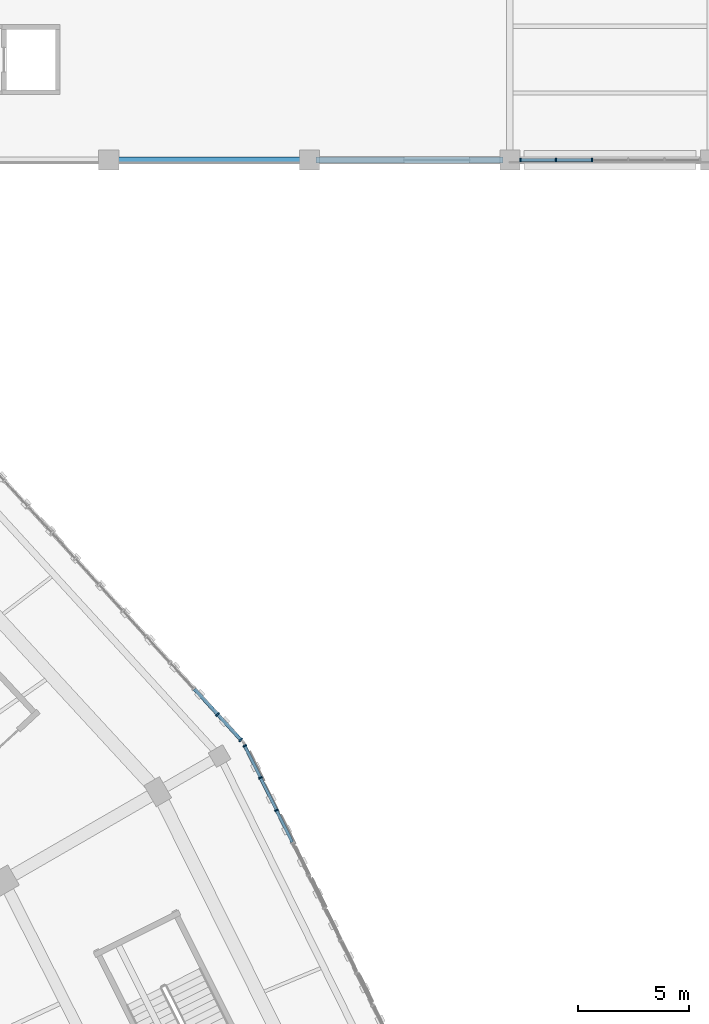
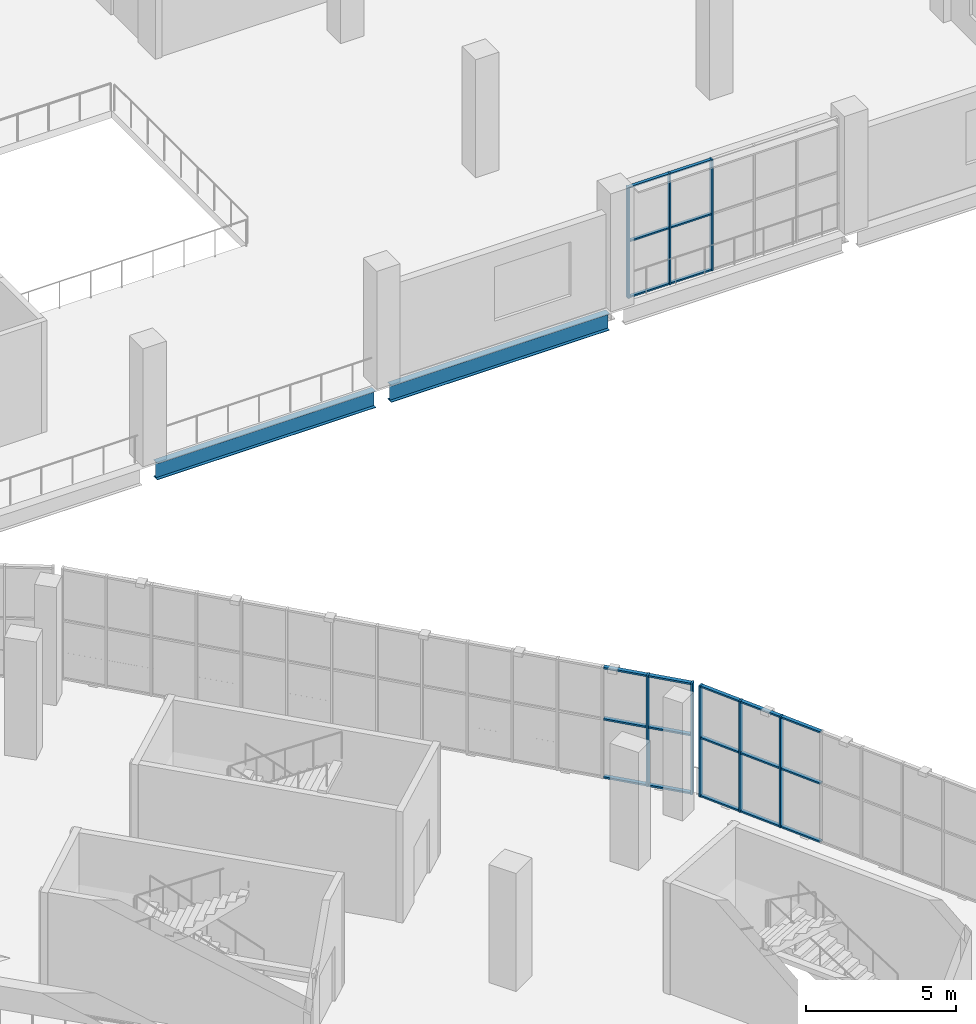
# One storey, part 68 of 183: 29 members, 2 beams, 3 elements without a shape of their own.
"""IFC4 building model written with IfcOpenShell, lengths in metres."""

from ifc_helpers import new_model, si_unit, direction, frame, origin, origin_2d, place, context, subcontext, project, spatial, rectangle, i_section, extrude, material, material_profile, profile_set, type_object, element, aggregate, save


model = new_model("IFC4")

# Units and contexts
model_context = context("Model", 3, precision=1e-05, world=origin(), true_north=direction((0.0, 1.0)))
body_context = subcontext(model_context, "Body", "Model", "MODEL_VIEW")
ifc_project = project(units=[si_unit("LENGTHUNIT", "METRE"), si_unit("AREAUNIT", "SQUARE_METRE"), si_unit("VOLUMEUNIT", "CUBIC_METRE"), si_unit("PLANEANGLEUNIT", "RADIAN"), si_unit("MASSUNIT", "GRAM", prefix="KILO")], contexts=[model_context])

# Site, building, storey
site_placement = place(None, origin())
site = spatial("IfcSite", under=ifc_project, at=site_placement, CompositionType="ELEMENT")
building_placement = place(site_placement, origin())
building = spatial("IfcBuilding", under=site, at=building_placement, Name="Zevraka Park Crest Stadium", CompositionType="ELEMENT")
storey_placement = place(building_placement, frame((0.0, 0.0, 5.39990234375)))
storey = spatial("IfcBuildingStorey", under=building, at=storey_placement, Name="L01", CompositionType="ELEMENT", Elevation=5.39990234375)

# Beams
ifc_material_1 = material(Name="Steel S355", Category="steel")
ifc_material_profile_1 = material_profile(ifc_material_1, i_section(OverallWidth=0.253662109375, OverallDepth=0.68359375, WebThickness=0.012451171875, FlangeThickness=0.01904296875, at=origin_2d()), Name="UKB 686x254x140")
ifc_profile_set_1 = profile_set([ifc_material_profile_1], Name="Steel S355")
beam_type = type_object("IfcBeamType", Name="BG05", PredefinedType="BEAM", material=ifc_profile_set_1)
for number, where, z_axis, x_axis, name in (
    (1, (188.300048828125, 158.0, -0.649658203125), (1.0, 0.0, 0.0), (0.0, 1.0, 0.0), "Wing Girder BG05 L01-2122/T"),
    (2, (197.300048828125, 158.0, -0.649658203125), (1.0, 0.0, 0.0), (0.0, 1.0, 0.0), "Wing Girder BG05 L01-2223/T"),
):
    element("IfcBeam", number, at=place(storey_placement, frame(where, z_axis=z_axis, x_axis=x_axis)), inside=storey, type_object=beam_type, Name=name, PredefinedType="BEAM", context=body_context, shape_type="SweptSolid", body=[
        extrude(i_section(OverallWidth=0.253662109375, OverallDepth=0.68359375, WebThickness=0.012451171875, FlangeThickness=0.01904296875, at=origin_2d()), origin(), (0.0, 0.0, 1.0), 8.39990234375),
    ])

# Curtain wall, members
ifc_material_2 = material(Name="Anodised architectural aluminium and laminated safety glass", Category="aluminium")
curtain_wall_type_1 = type_object("IfcCurtainWallType", Name="CW28", PredefinedType="NOTDEFINED", material=ifc_material_2)
curtain_wall_1_placement = place(storey_placement, origin())
curtain_wall_1 = element("IfcCurtainWall", 3, at=curtain_wall_1_placement, inside=storey, type_object=curtain_wall_type_1, Name="Wing Curtain Wall CW28 L01-NGATE-S-2", PredefinedType="NOTDEFINED")
ifc_material_3 = material(Name="Anodised architectural aluminium", Category="aluminium")
ifc_material_profile_2 = material_profile(ifc_material_3, rectangle(XDim=0.159912109375, YDim=0.06005859375, at=origin_2d()), Name="ALU MULLION 160x60")
ifc_profile_set_2 = profile_set([ifc_material_profile_2], Name="Anodised architectural aluminium")
member_type_1 = type_object("IfcMemberType", Name="CM01", PredefinedType="MULLION", material=ifc_profile_set_2)
member_1_placement = place(storey_placement, frame((209.68798828125, 158.0, 0.0), z_axis=(0.0, 0.0, 1.0), x_axis=(0.0, -1.0, 0.0)))
member_1 = element("IfcMember", 4, at=member_1_placement, type_object=member_type_1, Name="CW28 mullion 4", PredefinedType="MULLION", context=body_context, shape_type="SweptSolid", body=[
    extrude(rectangle(XDim=0.159912109375, YDim=0.06005859375, at=origin_2d()), origin(), (0.0, 0.0, 1.0), 4.52001953125),
])
member_2_placement = place(storey_placement, frame((208.06396484375, 158.0, 0.0), z_axis=(0.0, 0.0, 1.0), x_axis=(0.0, -1.0, 0.0)))
member_2 = element("IfcMember", 5, at=member_2_placement, type_object=member_type_1, Name="CW28 mullion 5", PredefinedType="MULLION", context=body_context, shape_type="SweptSolid", body=[
    extrude(rectangle(XDim=0.159912109375, YDim=0.06005859375, at=origin_2d()), origin(), (0.0, 0.0, 1.0), 4.52001953125),
])
member_3_placement = place(storey_placement, frame((206.469970703125, 158.0, 0.0), z_axis=(0.0, 0.0, 1.0), x_axis=(0.0, -1.0, 0.0)))
member_3 = element("IfcMember", 6, at=member_3_placement, type_object=member_type_1, Name="CW28 mullion 6", PredefinedType="MULLION", context=body_context, shape_type="SweptSolid", body=[
    extrude(rectangle(XDim=0.159912109375, YDim=0.06005859375, at=origin_2d()), origin(), (0.0, 0.0, 1.0), 4.52001953125),
])

ifc_material_4 = material(Name="Anodised architectural aluminium and laminated safety glass", Category="aluminium")
curtain_wall_type_2 = type_object("IfcCurtainWallType", Name="CW02", PredefinedType="NOTDEFINED", material=ifc_material_4)
curtain_wall_2_placement = place(storey_placement, origin())
curtain_wall_2 = element("IfcCurtainWall", 7, at=curtain_wall_2_placement, inside=storey, type_object=curtain_wall_type_2, Name="Unitised Ring Curtain Wall CW02 L01-01", PredefinedType="NOTDEFINED")
ifc_material_5 = material(Name="Anodised architectural aluminium", Category="aluminium")
ifc_material_profile_3 = material_profile(ifc_material_5, rectangle(XDim=0.179931640625, YDim=0.06494140625, at=origin_2d()), Name="ALU MULLION 180x65")
ifc_profile_set_3 = profile_set([ifc_material_profile_3], Name="Anodised architectural aluminium")
member_type_2 = type_object("IfcMemberType", Name="CM02", PredefinedType="MULLION", material=ifc_profile_set_3)
member_4_placement = place(storey_placement, frame((195.527099609375, 128.816650390625, 0.0), z_axis=(0.0, 0.0, 1.0), x_axis=(-0.897252732312, -0.44151730924, 0.0)))
member_4 = element("IfcMember", 8, at=member_4_placement, type_object=member_type_2, Name="CW02 mullion 12", PredefinedType="MULLION", context=body_context, shape_type="SweptSolid", body=[
    extrude(rectangle(XDim=0.179931640625, YDim=0.06494140625, at=origin_2d()), origin(), (0.0, 0.0, 1.0), 4.52001953125),
])
member_5_placement = place(storey_placement, frame((194.80810546875, 130.27783203125, 0.0), z_axis=(0.0, 0.0, 1.0), x_axis=(-0.897252732312, -0.44151730924, 0.0)))
member_5 = element("IfcMember", 9, at=member_5_placement, type_object=member_type_2, Name="CW02 mullion 13", PredefinedType="MULLION", context=body_context, shape_type="SweptSolid", body=[
    extrude(rectangle(XDim=0.179931640625, YDim=0.06494140625, at=origin_2d()), origin(), (0.0, 0.0, 1.0), 4.52001953125),
])
member_6_placement = place(storey_placement, frame((194.103271484375, 131.7099609375, 0.0), z_axis=(0.0, 0.0, 1.0), x_axis=(-0.897252732312, -0.44151730924, 0.0)))
member_6 = element("IfcMember", 10, at=member_6_placement, type_object=member_type_2, Name="CW02 mullion 14", PredefinedType="MULLION", context=body_context, shape_type="SweptSolid", body=[
    extrude(rectangle(XDim=0.179931640625, YDim=0.06494140625, at=origin_2d()), origin(), (0.0, 0.0, 1.0), 4.52001953125),
])

ifc_material_6 = material(Name="Anodised architectural aluminium and laminated safety glass", Category="aluminium")
curtain_wall_type_3 = type_object("IfcCurtainWallType", Name="CW03", PredefinedType="NOTDEFINED", material=ifc_material_6)
curtain_wall_3_placement = place(storey_placement, origin())
curtain_wall_3 = element("IfcCurtainWall", 11, at=curtain_wall_3_placement, inside=storey, type_object=curtain_wall_type_3, Name="Unitised Ring Curtain Wall CW03 L01-02", PredefinedType="NOTDEFINED")
ifc_material_7 = material(Name="Anodised architectural aluminium", Category="aluminium")
ifc_material_profile_4 = material_profile(ifc_material_7, rectangle(XDim=0.199951171875, YDim=0.070068359375, at=origin_2d()), Name="ALU MULLION 200x70")
ifc_profile_set_4 = profile_set([ifc_material_profile_4], Name="Anodised architectural aluminium")
member_type_3 = type_object("IfcMemberType", Name="CM03", PredefinedType="MULLION", material=ifc_profile_set_4)
member_7_placement = place(storey_placement, frame((193.92236328125, 131.975830078125, 0.0), z_axis=(0.0, 0.0, 1.0), x_axis=(-0.739023476371, -0.673679672672, 0.0)))
member_7 = element("IfcMember", 12, at=member_7_placement, type_object=member_type_3, Name="CW03 mullion 1", PredefinedType="MULLION", context=body_context, shape_type="SweptSolid", body=[
    extrude(rectangle(XDim=0.199951171875, YDim=0.070068359375, at=origin_2d()), origin(), (0.0, 0.0, 1.0), 4.52001953125),
])
member_8_placement = place(storey_placement, frame((192.88330078125, 133.11572265625, 0.0), z_axis=(0.0, 0.0, 1.0), x_axis=(-0.739023476371, -0.673679672672, 0.0)))
member_8 = element("IfcMember", 13, at=member_8_placement, type_object=member_type_3, Name="CW03 mullion 2", PredefinedType="MULLION", context=body_context, shape_type="SweptSolid", body=[
    extrude(rectangle(XDim=0.199951171875, YDim=0.070068359375, at=origin_2d()), origin(), (0.0, 0.0, 1.0), 4.52001953125),
])

# Member
ifc_material_8 = material(Name="Anodised architectural aluminium", Category="aluminium")
ifc_material_profile_5 = material_profile(ifc_material_8, rectangle(XDim=0.1201171875, YDim=0.06005859375, at=origin_2d()), Name="ALU TRANSOM 120x60")
ifc_profile_set_5 = profile_set([ifc_material_profile_5], Name="Anodised architectural aluminium")
member_type_4 = type_object("IfcMemberType", Name="CT01", PredefinedType="USERDEFINED", material=ifc_profile_set_5)
member_9_placement = place(storey_placement, frame((209.657958984375, 158.0, 0.030029296875), z_axis=(-1.0, 0.0, 0.0), x_axis=(0.0, -1.0, 0.0)))
member_9 = element("IfcMember", 14, at=member_9_placement, type_object=member_type_4, Name="CW28 transom 4.1", ObjectType="TRANSOM", PredefinedType="USERDEFINED", context=body_context, shape_type="SweptSolid", body=[
    extrude(rectangle(XDim=0.1201171875, YDim=0.06005859375, at=origin_2d()), origin(), (0.0, 0.0, 1.0), 1.56396484375),
])

member_10_placement = place(storey_placement, frame((209.657958984375, 158.0, 2.300048828125), z_axis=(-1.0, 0.0, 0.0), x_axis=(0.0, -1.0, 0.0)))
member_10 = element("IfcMember", 15, at=member_10_placement, type_object=member_type_4, Name="CW28 transom 4.2", ObjectType="TRANSOM", PredefinedType="USERDEFINED", context=body_context, shape_type="SweptSolid", body=[
    extrude(rectangle(XDim=0.1201171875, YDim=0.06005859375, at=origin_2d()), origin(), (0.0, 0.0, 1.0), 1.56396484375),
])

member_11_placement = place(storey_placement, frame((209.657958984375, 158.0, 4.489990234375), z_axis=(-1.0, 0.0, 0.0), x_axis=(0.0, -1.0, 0.0)))
member_11 = element("IfcMember", 16, at=member_11_placement, type_object=member_type_4, Name="CW28 transom 4.3", ObjectType="TRANSOM", PredefinedType="USERDEFINED", context=body_context, shape_type="SweptSolid", body=[
    extrude(rectangle(XDim=0.1201171875, YDim=0.06005859375, at=origin_2d()), origin(), (0.0, 0.0, 1.0), 1.56396484375),
])

member_12_placement = place(storey_placement, frame((208.033935546875, 158.0, 0.030029296875), z_axis=(-1.0, 0.0, 0.0), x_axis=(0.0, -1.0, 0.0)))
member_12 = element("IfcMember", 17, at=member_12_placement, type_object=member_type_4, Name="CW28 transom 5.1", ObjectType="TRANSOM", PredefinedType="USERDEFINED", context=body_context, shape_type="SweptSolid", body=[
    extrude(rectangle(XDim=0.1201171875, YDim=0.06005859375, at=origin_2d()), origin(), (0.0, 0.0, 1.0), 1.533935546875),
])

member_13_placement = place(storey_placement, frame((208.033935546875, 158.0, 2.300048828125), z_axis=(-1.0, 0.0, 0.0), x_axis=(0.0, -1.0, 0.0)))
member_13 = element("IfcMember", 18, at=member_13_placement, type_object=member_type_4, Name="CW28 transom 5.2", ObjectType="TRANSOM", PredefinedType="USERDEFINED", context=body_context, shape_type="SweptSolid", body=[
    extrude(rectangle(XDim=0.1201171875, YDim=0.06005859375, at=origin_2d()), origin(), (0.0, 0.0, 1.0), 1.533935546875),
])

member_14_placement = place(storey_placement, frame((208.033935546875, 158.0, 4.489990234375), z_axis=(-1.0, 0.0, 0.0), x_axis=(0.0, -1.0, 0.0)))
member_14 = element("IfcMember", 19, at=member_14_placement, type_object=member_type_4, Name="CW28 transom 5.3", ObjectType="TRANSOM", PredefinedType="USERDEFINED", context=body_context, shape_type="SweptSolid", body=[
    extrude(rectangle(XDim=0.1201171875, YDim=0.06005859375, at=origin_2d()), origin(), (0.0, 0.0, 1.0), 1.533935546875),
])

aggregate(curtain_wall_1, [member_1, member_2, member_3, member_9, member_10, member_11, member_12, member_13, member_14])

ifc_material_9 = material(Name="Anodised architectural aluminium", Category="aluminium")
ifc_material_profile_6 = material_profile(ifc_material_9, rectangle(XDim=0.139892578125, YDim=0.06494140625, at=origin_2d()), Name="ALU TRANSOM 140x65")
ifc_profile_set_6 = profile_set([ifc_material_profile_6], Name="Anodised architectural aluminium")
member_type_5 = type_object("IfcMemberType", Name="CT02", PredefinedType="USERDEFINED", material=ifc_profile_set_6)
member_15_placement = place(storey_placement, frame((196.231689453125, 127.384765625, 0.03271484375), z_axis=(-0.441583474331, 0.897220170971, 0.0), x_axis=(-0.897220170971, -0.441583474331, 0.0)))
member_15 = element("IfcMember", 20, at=member_15_placement, type_object=member_type_5, Name="CW02 transom 11.1", ObjectType="TRANSOM", PredefinedType="USERDEFINED", context=body_context, shape_type="SweptSolid", body=[
    extrude(rectangle(XDim=0.139892578125, YDim=0.06494140625, at=origin_2d()), origin(), (0.0, 0.0, 1.0), 1.5634765625),
])

member_16_placement = place(storey_placement, frame((196.231689453125, 127.384765625, 2.400146484375), z_axis=(-0.441583474331, 0.897220170971, 0.0), x_axis=(-0.897220170971, -0.441583474331, 0.0)))
member_16 = element("IfcMember", 21, at=member_16_placement, type_object=member_type_5, Name="CW02 transom 11.2", ObjectType="TRANSOM", PredefinedType="USERDEFINED", context=body_context, shape_type="SweptSolid", body=[
    extrude(rectangle(XDim=0.139892578125, YDim=0.06494140625, at=origin_2d()), origin(), (0.0, 0.0, 1.0), 1.5634765625),
])

member_17_placement = place(storey_placement, frame((196.231689453125, 127.384765625, 4.487548828125), z_axis=(-0.441583474331, 0.897220170971, 0.0), x_axis=(-0.897220170971, -0.441583474331, 0.0)))
member_17 = element("IfcMember", 22, at=member_17_placement, type_object=member_type_5, Name="CW02 transom 11.3", ObjectType="TRANSOM", PredefinedType="USERDEFINED", context=body_context, shape_type="SweptSolid", body=[
    extrude(rectangle(XDim=0.139892578125, YDim=0.06494140625, at=origin_2d()), origin(), (0.0, 0.0, 1.0), 1.5634765625),
])

member_18_placement = place(storey_placement, frame((195.5126953125, 128.845947265625, 0.03271484375), z_axis=(-0.441583474331, 0.897220170971, 0.0), x_axis=(-0.897220170971, -0.441583474331, 0.0)))
member_18 = element("IfcMember", 23, at=member_18_placement, type_object=member_type_5, Name="CW02 transom 12.1", ObjectType="TRANSOM", PredefinedType="USERDEFINED", context=body_context, shape_type="SweptSolid", body=[
    extrude(rectangle(XDim=0.139892578125, YDim=0.06494140625, at=origin_2d()), origin(), (0.0, 0.0, 1.0), 1.5634765625),
])

member_19_placement = place(storey_placement, frame((195.5126953125, 128.845947265625, 2.400146484375), z_axis=(-0.441583474331, 0.897220170971, 0.0), x_axis=(-0.897220170971, -0.441583474331, 0.0)))
member_19 = element("IfcMember", 24, at=member_19_placement, type_object=member_type_5, Name="CW02 transom 12.2", ObjectType="TRANSOM", PredefinedType="USERDEFINED", context=body_context, shape_type="SweptSolid", body=[
    extrude(rectangle(XDim=0.139892578125, YDim=0.06494140625, at=origin_2d()), origin(), (0.0, 0.0, 1.0), 1.5634765625),
])

member_20_placement = place(storey_placement, frame((195.5126953125, 128.845947265625, 4.487548828125), z_axis=(-0.441583474331, 0.897220170971, 0.0), x_axis=(-0.897220170971, -0.441583474331, 0.0)))
member_20 = element("IfcMember", 25, at=member_20_placement, type_object=member_type_5, Name="CW02 transom 12.3", ObjectType="TRANSOM", PredefinedType="USERDEFINED", context=body_context, shape_type="SweptSolid", body=[
    extrude(rectangle(XDim=0.139892578125, YDim=0.06494140625, at=origin_2d()), origin(), (0.0, 0.0, 1.0), 1.5634765625),
])

member_21_placement = place(storey_placement, frame((194.793701171875, 130.30712890625, 0.03271484375), z_axis=(-0.441591204786, 0.897216366244, 0.0), x_axis=(-0.897216366244, -0.441591204786, 0.0)))
member_21 = element("IfcMember", 26, at=member_21_placement, type_object=member_type_5, Name="CW02 transom 13.1", ObjectType="TRANSOM", PredefinedType="USERDEFINED", context=body_context, shape_type="SweptSolid", body=[
    extrude(rectangle(XDim=0.139892578125, YDim=0.06494140625, at=origin_2d()), origin(), (0.0, 0.0, 1.0), 1.531005859375),
])

member_22_placement = place(storey_placement, frame((194.793701171875, 130.30712890625, 2.400146484375), z_axis=(-0.441591204786, 0.897216366244, 0.0), x_axis=(-0.897216366244, -0.441591204786, 0.0)))
member_22 = element("IfcMember", 27, at=member_22_placement, type_object=member_type_5, Name="CW02 transom 13.2", ObjectType="TRANSOM", PredefinedType="USERDEFINED", context=body_context, shape_type="SweptSolid", body=[
    extrude(rectangle(XDim=0.139892578125, YDim=0.06494140625, at=origin_2d()), origin(), (0.0, 0.0, 1.0), 1.531005859375),
])

member_23_placement = place(storey_placement, frame((194.793701171875, 130.30712890625, 4.487548828125), z_axis=(-0.441591204786, 0.897216366244, 0.0), x_axis=(-0.897216366244, -0.441591204786, 0.0)))
member_23 = element("IfcMember", 28, at=member_23_placement, type_object=member_type_5, Name="CW02 transom 13.3", ObjectType="TRANSOM", PredefinedType="USERDEFINED", context=body_context, shape_type="SweptSolid", body=[
    extrude(rectangle(XDim=0.139892578125, YDim=0.06494140625, at=origin_2d()), origin(), (0.0, 0.0, 1.0), 1.531005859375),
])

aggregate(curtain_wall_2, [member_4, member_5, member_6, member_15, member_16, member_17, member_18, member_19, member_20, member_21, member_22, member_23])

ifc_material_10 = material(Name="Anodised architectural aluminium", Category="aluminium")
ifc_material_profile_7 = material_profile(ifc_material_10, rectangle(XDim=0.14990234375, YDim=0.070068359375, at=origin_2d()), Name="ALU TRANSOM 150x70")
ifc_profile_set_7 = profile_set([ifc_material_profile_7], Name="Anodised architectural aluminium")
member_type_6 = type_object("IfcMemberType", Name="CT03", PredefinedType="USERDEFINED", material=ifc_profile_set_7)
member_24_placement = place(storey_placement, frame((193.89892578125, 132.001708984375, 0.03515625), z_axis=(-0.673687280194, 0.739016541429, 0.0), x_axis=(-0.739016541429, -0.673687280194, 0.0)))
member_24 = element("IfcMember", 29, at=member_24_placement, type_object=member_type_6, Name="CW03 transom 1.1", ObjectType="TRANSOM", PredefinedType="USERDEFINED", context=body_context, shape_type="SweptSolid", body=[
    extrude(rectangle(XDim=0.14990234375, YDim=0.070068359375, at=origin_2d()), origin(), (0.0, 0.0, 1.0), 1.472412109375),
])

member_25_placement = place(storey_placement, frame((193.89892578125, 132.001708984375, 2.400146484375), z_axis=(-0.673687280194, 0.739016541429, 0.0), x_axis=(-0.739016541429, -0.673687280194, 0.0)))
member_25 = element("IfcMember", 30, at=member_25_placement, type_object=member_type_6, Name="CW03 transom 1.2", ObjectType="TRANSOM", PredefinedType="USERDEFINED", context=body_context, shape_type="SweptSolid", body=[
    extrude(rectangle(XDim=0.14990234375, YDim=0.070068359375, at=origin_2d()), origin(), (0.0, 0.0, 1.0), 1.472412109375),
])

member_26_placement = place(storey_placement, frame((193.89892578125, 132.001708984375, 4.485107421875), z_axis=(-0.673687280194, 0.739016541429, 0.0), x_axis=(-0.739016541429, -0.673687280194, 0.0)))
member_26 = element("IfcMember", 31, at=member_26_placement, type_object=member_type_6, Name="CW03 transom 1.3", ObjectType="TRANSOM", PredefinedType="USERDEFINED", context=body_context, shape_type="SweptSolid", body=[
    extrude(rectangle(XDim=0.14990234375, YDim=0.070068359375, at=origin_2d()), origin(), (0.0, 0.0, 1.0), 1.472412109375),
])

member_27_placement = place(storey_placement, frame((192.85986328125, 133.1416015625, 0.03515625), z_axis=(-0.673720043681, 0.738986672913, 0.0), x_axis=(-0.738986672913, -0.673720043681, 0.0)))
member_27 = element("IfcMember", 32, at=member_27_placement, type_object=member_type_6, Name="CW03 transom 2.1", ObjectType="TRANSOM", PredefinedType="USERDEFINED", context=body_context, shape_type="SweptSolid", body=[
    extrude(rectangle(XDim=0.14990234375, YDim=0.070068359375, at=origin_2d()), origin(), (0.0, 0.0, 1.0), 1.507568359375),
])

member_28_placement = place(storey_placement, frame((192.85986328125, 133.1416015625, 2.400146484375), z_axis=(-0.673720043681, 0.738986672913, 0.0), x_axis=(-0.738986672913, -0.673720043681, 0.0)))
member_28 = element("IfcMember", 33, at=member_28_placement, type_object=member_type_6, Name="CW03 transom 2.2", ObjectType="TRANSOM", PredefinedType="USERDEFINED", context=body_context, shape_type="SweptSolid", body=[
    extrude(rectangle(XDim=0.14990234375, YDim=0.070068359375, at=origin_2d()), origin(), (0.0, 0.0, 1.0), 1.507568359375),
])

member_29_placement = place(storey_placement, frame((192.85986328125, 133.1416015625, 4.485107421875), z_axis=(-0.673720043681, 0.738986672913, 0.0), x_axis=(-0.738986672913, -0.673720043681, 0.0)))
member_29 = element("IfcMember", 34, at=member_29_placement, type_object=member_type_6, Name="CW03 transom 2.3", ObjectType="TRANSOM", PredefinedType="USERDEFINED", context=body_context, shape_type="SweptSolid", body=[
    extrude(rectangle(XDim=0.14990234375, YDim=0.070068359375, at=origin_2d()), origin(), (0.0, 0.0, 1.0), 1.507568359375),
])

aggregate(curtain_wall_3, [member_7, member_8, member_24, member_25, member_26, member_27, member_28, member_29])

save(model, "model.ifc")
